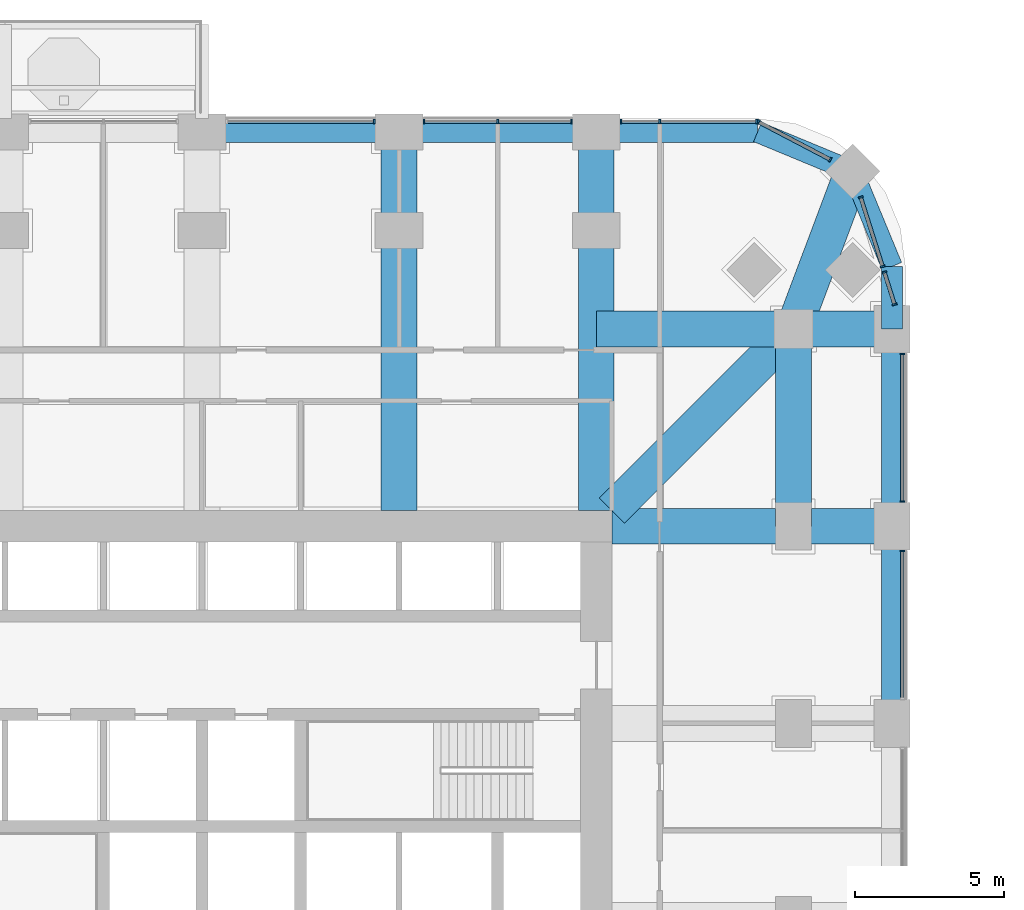
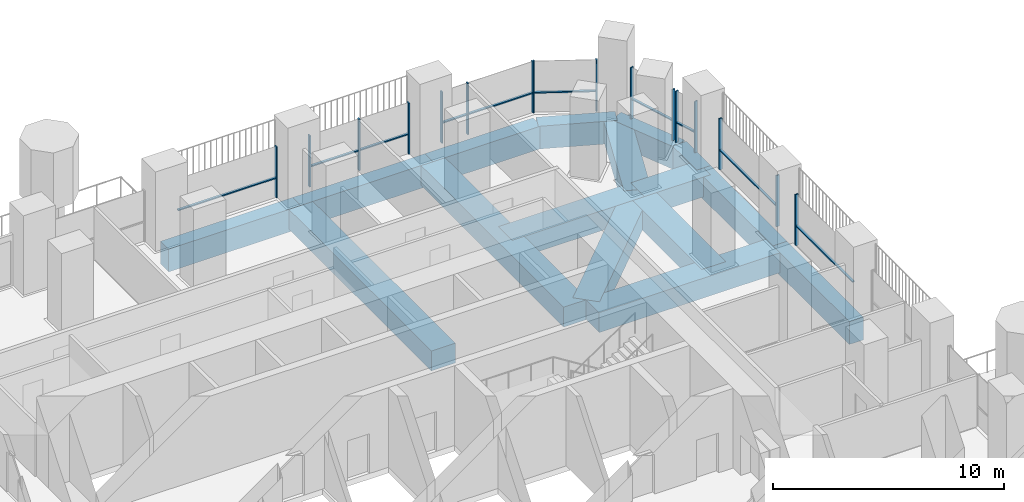
# One storey, part 7 of 21: 26 members, 16 beams, 8 elements without a shape of their own.
"""IFC4 building model written with IfcOpenShell, lengths in metres."""

from ifc_helpers import new_model, si_unit, direction, frame, origin, origin_2d, place, context, subcontext, project, spatial, rectangle, extrude, material, material_profile, profile_set, type_object, element, aggregate, save


model = new_model("IFC4")

# Units and contexts
model_context = context("Model", 3, precision=1e-05, world=origin(), true_north=direction((0.0, 1.0)))
body_context = subcontext(model_context, "Body", "Model", "MODEL_VIEW")
ifc_project = project(units=[si_unit("LENGTHUNIT", "METRE"), si_unit("AREAUNIT", "SQUARE_METRE"), si_unit("VOLUMEUNIT", "CUBIC_METRE"), si_unit("PLANEANGLEUNIT", "RADIAN"), si_unit("MASSUNIT", "GRAM", prefix="KILO")], contexts=[model_context])

# Site, building, storey
site_placement = place(None, origin())
site = spatial("IfcSite", under=ifc_project, at=site_placement, CompositionType="ELEMENT")
building_placement = place(site_placement, origin())
building = spatial("IfcBuilding", under=site, at=building_placement, Name="Cobogo Forest Laboratory Tower", CompositionType="ELEMENT")
storey_placement = place(building_placement, frame((0.0, 0.0, 99.0)))
storey = spatial("IfcBuildingStorey", under=building, at=storey_placement, Name="L22", CompositionType="ELEMENT", Elevation=99.0)

# Beams
ifc_material_1 = material(Name="Concrete HA-40 (C40/50)", Category="concrete")
ifc_material_profile_1 = material_profile(ifc_material_1, rectangle(XDim=1.199951171875, YDim=1.050048828125, at=origin_2d()), Name="RC 1200x1050")
ifc_profile_set_1 = profile_set([ifc_material_profile_1], Name="Concrete HA-40 (C40/50)")
beam_type_1 = type_object("IfcBeamType", Name="Laboratory floor wide beam 1200x1050", PredefinedType="BEAM", material=ifc_profile_set_1)
for number, where, z_axis, x_axis, name in (
    (1, (33.0, 33.52490234375, -0.824951171875), (0.0, 1.0, 0.0), (-1.0, 0.0, 0.0), "RB1 R-6-N L22"),
    (2, (39.60009765625, 33.52490234375, -0.824951171875), (0.0, 1.0, 0.0), (-1.0, 0.0, 0.0), "RB1 R-7-N L22"),
):
    element("IfcBeam", number, at=place(storey_placement, frame(where, z_axis=z_axis, x_axis=x_axis)), inside=storey, type_object=beam_type_1, Name=name, PredefinedType="BEAM", context=body_context, shape_type="SweptSolid", body=[
        extrude(rectangle(XDim=1.199951171875, YDim=1.050048828125, at=origin_2d()), origin(), (0.0, 0.0, 1.0), 12.675048828125),
    ])
beam_1_placement = place(storey_placement, frame((40.125, 33.0, -0.824951171875), z_axis=(1.0, 0.0, 0.0), x_axis=(0.0, 1.0, 0.0)))
element("IfcBeam", 3, at=beam_1_placement, inside=storey, type_object=beam_type_1, Name="RB1 R-F-E L22", PredefinedType="BEAM", context=body_context, shape_type="SweptSolid", body=[
    extrude(rectangle(XDim=1.199951171875, YDim=1.050048828125, at=origin_2d()), origin(), (0.0, 0.0, 1.0), 9.375),
])
beam_2_placement = place(storey_placement, frame((46.199951171875, 39.60009765625, -0.824951171875), z_axis=(0.0, -1.0, 0.0), x_axis=(1.0, 0.0, 0.0)))
element("IfcBeam", 4, at=beam_2_placement, inside=storey, type_object=beam_type_1, Name="RB1 G-NE-XC L22", PredefinedType="BEAM", context=body_context, shape_type="SweptSolid", body=[
    extrude(rectangle(XDim=1.199951171875, YDim=1.050048828125, at=origin_2d()), origin(), (0.0, 0.0, 1.0), 6.60009765625),
])
beam_3_placement = place(storey_placement, frame((49.5, 39.60009765625, -0.824951171875), z_axis=(-1.0, 0.0, 0.0), x_axis=(0.0, -1.0, 0.0)))
element("IfcBeam", 5, at=beam_3_placement, inside=storey, type_object=beam_type_1, Name="RB1 G-NE-YF L22", PredefinedType="BEAM", context=body_context, shape_type="SweptSolid", body=[
    extrude(rectangle(XDim=1.199951171875, YDim=1.050048828125, at=origin_2d()), origin(), (0.0, 0.0, 1.0), 3.300048828125),
])
beam_4_placement = place(storey_placement, frame((46.199951171875, 39.60009765625, -0.824951171875), z_axis=(-1.0, 0.0, 0.0), x_axis=(0.0, -1.0, 0.0)))
element("IfcBeam", 6, at=beam_4_placement, inside=storey, type_object=beam_type_1, Name="RB1 G-NE-YC L22", PredefinedType="BEAM", context=body_context, shape_type="SweptSolid", body=[
    extrude(rectangle(XDim=1.199951171875, YDim=1.050048828125, at=origin_2d()), origin(), (0.0, 0.0, 1.0), 6.599853515625),
])
beam_5_placement = place(storey_placement, frame((48.181884765625, 44.882080078125, -0.824951171875), z_axis=(-0.351308391925, -0.936259800356, 0.0), x_axis=(0.936259800356, -0.351308391925, 0.0)))
element("IfcBeam", 7, at=beam_5_placement, inside=storey, type_object=beam_type_1, Name="RB1 G-NE-D1 L22", PredefinedType="BEAM", context=body_context, shape_type="SweptSolid", body=[
    extrude(rectangle(XDim=1.199951171875, YDim=1.050048828125, at=origin_2d()), origin(), (0.0, 0.0, 1.0), 5.6416015625),
])
beam_6_placement = place(storey_placement, frame((46.199951171875, 39.60009765625, -0.824951171875), z_axis=(-0.707092572697, -0.70712098939, 0.0), x_axis=(0.70712098939, -0.707092572697, 0.0)))
element("IfcBeam", 8, at=beam_6_placement, inside=storey, type_object=beam_type_1, Name="RB1 G-NE-D2 L22", PredefinedType="BEAM", context=body_context, shape_type="SweptSolid", body=[
    extrude(rectangle(XDim=1.199951171875, YDim=1.050048828125, at=origin_2d()), origin(), (0.0, 0.0, 1.0), 8.591552734375),
])

# Curtain wall, member
ifc_material_2 = material(Name="Aluminium curtain wall", Category="aluminium")
curtain_wall_type = type_object("IfcCurtainWallType", Name="CW-1 unitised curtain wall, clear glazing, laboratory floors zones A and B", PredefinedType="USERDEFINED", material=ifc_material_2)
curtain_wall_1_placement = place(storey_placement, origin())
curtain_wall_1 = element("IfcCurtainWall", 9, at=curtain_wall_1_placement, inside=storey, type_object=curtain_wall_type, Name="Curtain wall 13 L22", ObjectType="UNITISED CURTAIN WALL", PredefinedType="USERDEFINED")
ifc_material_3 = material(Name="Aluminium mullion", Category="aluminium")
ifc_material_profile_2 = material_profile(ifc_material_3, rectangle(XDim=0.06005859375, YDim=0.159912109375, at=origin_2d()), Name="AL 60x160")
ifc_profile_set_2 = profile_set([ifc_material_profile_2], Name="Aluminium mullion")
member_type_1 = type_object("IfcMemberType", Name="MU-1 aluminium mullion 60x160", PredefinedType="MULLION", material=ifc_profile_set_2)
member_1_placement = place(storey_placement, frame((49.85009765625, 32.169921875, 0.0), z_axis=(0.0, 0.0, 1.0), x_axis=(0.0, 1.0, 0.0)))
member_1 = element("IfcMember", 10, at=member_1_placement, type_object=member_type_1, Name="CW-1 mullion 2", PredefinedType="MULLION", context=body_context, shape_type="SweptSolid", body=[
    extrude(rectangle(XDim=0.06005859375, YDim=0.159912109375, at=origin_2d()), origin(), (0.0, 0.0, 1.0), 2.699951171875),
])

# Curtain wall, members
curtain_wall_2_placement = place(storey_placement, origin())
curtain_wall_2 = element("IfcCurtainWall", 11, at=curtain_wall_2_placement, inside=storey, type_object=curtain_wall_type, Name="Curtain wall 14 L22", ObjectType="UNITISED CURTAIN WALL", PredefinedType="USERDEFINED")
member_2_placement = place(storey_placement, frame((49.85009765625, 33.830078125, 0.0), z_axis=(0.0, 0.0, 1.0), x_axis=(0.0, 1.0, 0.0)))
member_2 = element("IfcMember", 12, at=member_2_placement, type_object=member_type_1, Name="CW-1 mullion 1", PredefinedType="MULLION", context=body_context, shape_type="SweptSolid", body=[
    extrude(rectangle(XDim=0.06005859375, YDim=0.159912109375, at=origin_2d()), origin(), (0.0, 0.0, 1.0), 2.699951171875),
])
member_3_placement = place(storey_placement, frame((49.85009765625, 38.77001953125, 0.0), z_axis=(0.0, 0.0, 1.0), x_axis=(0.0, 1.0, 0.0)))
member_3 = element("IfcMember", 13, at=member_3_placement, type_object=member_type_1, Name="CW-1 mullion 2", PredefinedType="MULLION", context=body_context, shape_type="SweptSolid", body=[
    extrude(rectangle(XDim=0.06005859375, YDim=0.159912109375, at=origin_2d()), origin(), (0.0, 0.0, 1.0), 2.699951171875),
])

curtain_wall_3_placement = place(storey_placement, origin())
curtain_wall_3 = element("IfcCurtainWall", 14, at=curtain_wall_3_placement, inside=storey, type_object=curtain_wall_type, Name="Curtain wall 15 L22", ObjectType="UNITISED CURTAIN WALL", PredefinedType="USERDEFINED")
member_4_placement = place(storey_placement, frame((49.58837890625, 40.4287109375, 0.0), z_axis=(0.0, 0.0, 1.0), x_axis=(-0.301135667865, 0.953581307252, 0.0)))
member_4 = element("IfcMember", 15, at=member_4_placement, type_object=member_type_1, Name="CW-1 mullion 1", PredefinedType="MULLION", context=body_context, shape_type="SweptSolid", body=[
    extrude(rectangle(XDim=0.06005859375, YDim=0.159912109375, at=origin_2d()), origin(), (0.0, 0.0, 1.0), 2.699951171875),
])
member_5_placement = place(storey_placement, frame((49.247802734375, 41.507080078125, 0.0), z_axis=(0.0, 0.0, 1.0), x_axis=(-0.301135667865, 0.953581307252, 0.0)))
member_5 = element("IfcMember", 16, at=member_5_placement, type_object=member_type_1, Name="CW-1 mullion 2", PredefinedType="MULLION", context=body_context, shape_type="SweptSolid", body=[
    extrude(rectangle(XDim=0.06005859375, YDim=0.159912109375, at=origin_2d()), origin(), (0.0, 0.0, 1.0), 2.699951171875),
])

curtain_wall_4_placement = place(storey_placement, origin())
curtain_wall_4 = element("IfcCurtainWall", 17, at=curtain_wall_4_placement, inside=storey, type_object=curtain_wall_type, Name="Curtain wall 16 L22", ObjectType="UNITISED CURTAIN WALL", PredefinedType="USERDEFINED")
member_6_placement = place(storey_placement, frame((49.18701171875, 41.69970703125, 0.0), z_axis=(0.0, 0.0, 1.0), x_axis=(-0.301135291996, 0.953581425949, 0.0)))
member_6 = element("IfcMember", 18, at=member_6_placement, type_object=member_type_1, Name="CW-1 mullion 1", PredefinedType="MULLION", context=body_context, shape_type="SweptSolid", body=[
    extrude(rectangle(XDim=0.06005859375, YDim=0.159912109375, at=origin_2d()), origin(), (0.0, 0.0, 1.0), 2.699951171875),
])
member_7_placement = place(storey_placement, frame((48.455810546875, 44.01513671875, 0.0), z_axis=(0.0, 0.0, 1.0), x_axis=(-0.301135291996, 0.953581425949, 0.0)))
member_7 = element("IfcMember", 19, at=member_7_placement, type_object=member_type_1, Name="CW-1 mullion 2", PredefinedType="MULLION", context=body_context, shape_type="SweptSolid", body=[
    extrude(rectangle(XDim=0.06005859375, YDim=0.159912109375, at=origin_2d()), origin(), (0.0, 0.0, 1.0), 2.699951171875),
])

curtain_wall_5_placement = place(storey_placement, origin())
curtain_wall_5 = element("IfcCurtainWall", 20, at=curtain_wall_5_placement, inside=storey, type_object=curtain_wall_type, Name="Curtain wall 17 L22", ObjectType="UNITISED CURTAIN WALL", PredefinedType="USERDEFINED")
member_8_placement = place(storey_placement, frame((47.431640625, 45.275390625, 0.0), z_axis=(0.0, 0.0, 1.0), x_axis=(-0.885686547075, 0.464283685186, 0.0)))
member_8 = element("IfcMember", 21, at=member_8_placement, type_object=member_type_1, Name="CW-1 mullion 1", PredefinedType="MULLION", context=body_context, shape_type="SweptSolid", body=[
    extrude(rectangle(XDim=0.06005859375, YDim=0.159912109375, at=origin_2d()), origin(), (0.0, 0.0, 1.0), 2.699951171875),
])
member_9_placement = place(storey_placement, frame((45.026611328125, 46.5361328125, 0.0), z_axis=(0.0, 0.0, 1.0), x_axis=(-0.885686547075, 0.464283685186, 0.0)))
member_9 = element("IfcMember", 22, at=member_9_placement, type_object=member_type_1, Name="CW-1 mullion 2", PredefinedType="MULLION", context=body_context, shape_type="SweptSolid", body=[
    extrude(rectangle(XDim=0.06005859375, YDim=0.159912109375, at=origin_2d()), origin(), (0.0, 0.0, 1.0), 2.699951171875),
])

curtain_wall_6_placement = place(storey_placement, origin())
curtain_wall_6 = element("IfcCurtainWall", 23, at=curtain_wall_6_placement, inside=storey, type_object=curtain_wall_type, Name="Curtain wall 18 L22", ObjectType="UNITISED CURTAIN WALL", PredefinedType="USERDEFINED")
member_10_placement = place(storey_placement, frame((44.969970703125, 46.550048828125, 0.0), z_axis=(0.0, 0.0, 1.0), x_axis=(-1.0, 0.0, 0.0)))
member_10 = element("IfcMember", 24, at=member_10_placement, type_object=member_type_1, Name="CW-1 mullion 1", PredefinedType="MULLION", context=body_context, shape_type="SweptSolid", body=[
    extrude(rectangle(XDim=0.06005859375, YDim=0.159912109375, at=origin_2d()), origin(), (0.0, 0.0, 1.0), 2.699951171875),
])
member_11_placement = place(storey_placement, frame((41.72509765625, 46.550048828125, 0.0), z_axis=(0.0, 0.0, 1.0), x_axis=(-1.0, 0.0, 0.0)))
member_11 = element("IfcMember", 25, at=member_11_placement, type_object=member_type_1, Name="CW-1 mullion 2", PredefinedType="MULLION", context=body_context, shape_type="SweptSolid", body=[
    extrude(rectangle(XDim=0.06005859375, YDim=0.159912109375, at=origin_2d()), origin(), (0.0, 0.0, 1.0), 2.699951171875),
])
member_12_placement = place(storey_placement, frame((40.429931640625, 46.550048828125, 0.0), z_axis=(0.0, 0.0, 1.0), x_axis=(-1.0, 0.0, 0.0)))
member_12 = element("IfcMember", 26, at=member_12_placement, type_object=member_type_1, Name="CW-1 mullion 3", PredefinedType="MULLION", context=body_context, shape_type="SweptSolid", body=[
    extrude(rectangle(XDim=0.06005859375, YDim=0.159912109375, at=origin_2d()), origin(), (0.0, 0.0, 1.0), 2.699951171875),
])

curtain_wall_7_placement = place(storey_placement, origin())
curtain_wall_7 = element("IfcCurtainWall", 27, at=curtain_wall_7_placement, inside=storey, type_object=curtain_wall_type, Name="Curtain wall 19 L22", ObjectType="UNITISED CURTAIN WALL", PredefinedType="USERDEFINED")
member_13_placement = place(storey_placement, frame((38.77001953125, 46.550048828125, 0.0), z_axis=(0.0, 0.0, 1.0), x_axis=(-1.0, 0.0, 0.0)))
member_13 = element("IfcMember", 28, at=member_13_placement, type_object=member_type_1, Name="CW-1 mullion 1", PredefinedType="MULLION", context=body_context, shape_type="SweptSolid", body=[
    extrude(rectangle(XDim=0.06005859375, YDim=0.159912109375, at=origin_2d()), origin(), (0.0, 0.0, 1.0), 2.699951171875),
])
member_14_placement = place(storey_placement, frame((36.300048828125, 46.550048828125, 0.0), z_axis=(0.0, 0.0, 1.0), x_axis=(-1.0, 0.0, 0.0)))
member_14 = element("IfcMember", 29, at=member_14_placement, type_object=member_type_1, Name="CW-1 mullion 2", PredefinedType="MULLION", context=body_context, shape_type="SweptSolid", body=[
    extrude(rectangle(XDim=0.06005859375, YDim=0.159912109375, at=origin_2d()), origin(), (0.0, 0.0, 1.0), 2.699951171875),
])
member_15_placement = place(storey_placement, frame((33.830078125, 46.550048828125, 0.0), z_axis=(0.0, 0.0, 1.0), x_axis=(-1.0, 0.0, 0.0)))
member_15 = element("IfcMember", 30, at=member_15_placement, type_object=member_type_1, Name="CW-1 mullion 3", PredefinedType="MULLION", context=body_context, shape_type="SweptSolid", body=[
    extrude(rectangle(XDim=0.06005859375, YDim=0.159912109375, at=origin_2d()), origin(), (0.0, 0.0, 1.0), 2.699951171875),
])

# Curtain wall, member
curtain_wall_8_placement = place(storey_placement, origin())
curtain_wall_8 = element("IfcCurtainWall", 31, at=curtain_wall_8_placement, inside=storey, type_object=curtain_wall_type, Name="Curtain wall 20 L22", ObjectType="UNITISED CURTAIN WALL", PredefinedType="USERDEFINED")
member_16_placement = place(storey_placement, frame((32.169921875, 46.550048828125, 0.0), z_axis=(0.0, 0.0, 1.0), x_axis=(-1.0, 0.0, 0.0)))
member_16 = element("IfcMember", 32, at=member_16_placement, type_object=member_type_1, Name="CW-1 mullion 1", PredefinedType="MULLION", context=body_context, shape_type="SweptSolid", body=[
    extrude(rectangle(XDim=0.06005859375, YDim=0.159912109375, at=origin_2d()), origin(), (0.0, 0.0, 1.0), 2.699951171875),
])

# Beams
ifc_material_profile_3 = material_profile(ifc_material_1, rectangle(XDim=0.699951171875, YDim=1.199951171875, at=origin_2d()), Name="RC 700x1200")
ifc_profile_set_3 = profile_set([ifc_material_profile_3], Name="Concrete HA-40 (C40/50)")
beam_type_2 = type_object("IfcBeamType", Name="Perimeter edge beam 700x1200", PredefinedType="BEAM", material=ifc_profile_set_3)
for number, where, z_axis, x_axis, name in (
    (33, (49.5, 26.39990234375, -0.89990234375), (0.0, 1.0, 0.0), (-1.0, 0.0, 0.0), "EB1 E-E4 L22"),
    (34, (49.5, 33.0, -0.89990234375), (0.0, 1.0, 0.0), (-1.0, 0.0, 0.0), "EB1 E-E5 L22"),
    (35, (26.39990234375, 46.199951171875, -0.89990234375), (1.0, 0.0, 0.0), (0.0, 1.0, 0.0), "EB1 E-N3 L22"),
    (36, (33.0, 46.199951171875, -0.89990234375), (1.0, 0.0, 0.0), (0.0, 1.0, 0.0), "EB1 E-N4 L22"),
):
    element("IfcBeam", number, at=place(storey_placement, frame(where, z_axis=z_axis, x_axis=x_axis)), inside=storey, type_object=beam_type_2, Name=name, PredefinedType="BEAM", context=body_context, shape_type="SweptSolid", body=[
        extrude(rectangle(XDim=0.699951171875, YDim=1.199951171875, at=origin_2d()), origin(), (0.0, 0.0, 1.0), 6.60009765625),
    ])
beam_7_placement = place(storey_placement, frame((49.5, 39.60009765625, -0.89990234375), z_axis=(0.0, 1.0, 0.0), x_axis=(-1.0, 0.0, 0.0)))
element("IfcBeam", 37, at=beam_7_placement, inside=storey, type_object=beam_type_2, Name="EB1 E-NEE1 L22", PredefinedType="BEAM", context=body_context, shape_type="SweptSolid", body=[
    extrude(rectangle(XDim=0.699951171875, YDim=1.199951171875, at=origin_2d()), origin(), (0.0, 0.0, 1.0), 2.099853515625),
])
beam_8_placement = place(storey_placement, frame((49.5, 41.699951171875, -0.89990234375), z_axis=(-0.382691928466, 0.923876013265, 0.0), x_axis=(-0.923876013265, -0.382691928466, 0.0)))
element("IfcBeam", 38, at=beam_8_placement, inside=storey, type_object=beam_type_2, Name="EB1 E-NEE2 L22", PredefinedType="BEAM", context=body_context, shape_type="SweptSolid", body=[
    extrude(rectangle(XDim=0.699951171875, YDim=1.199951171875, at=origin_2d()), origin(), (0.0, 0.0, 1.0), 3.4443359375),
])
beam_9_placement = place(storey_placement, frame((39.60009765625, 46.199951171875, -0.89990234375), z_axis=(1.0, 0.0, 0.0), x_axis=(0.0, 1.0, 0.0)))
element("IfcBeam", 39, at=beam_9_placement, inside=storey, type_object=beam_type_2, Name="EB1 E-NEN1 L22", PredefinedType="BEAM", context=body_context, shape_type="SweptSolid", body=[
    extrude(rectangle(XDim=0.699951171875, YDim=1.199951171875, at=origin_2d()), origin(), (0.0, 0.0, 1.0), 5.39990234375),
])
beam_10_placement = place(storey_placement, frame((45.0, 46.199951171875, -0.89990234375), z_axis=(0.923890694089, -0.382656484822, 0.0), x_axis=(0.382656484822, 0.923890694089, 0.0)))
element("IfcBeam", 40, at=beam_10_placement, inside=storey, type_object=beam_type_2, Name="EB1 E-NEN2 L22", PredefinedType="BEAM", context=body_context, shape_type="SweptSolid", body=[
    extrude(rectangle(XDim=0.699951171875, YDim=1.199951171875, at=origin_2d()), origin(), (0.0, 0.0, 1.0), 3.444091796875),
])

# Member
ifc_material_4 = material(Name="Aluminium transom", Category="aluminium")
ifc_material_profile_4 = material_profile(ifc_material_4, rectangle(XDim=0.1201171875, YDim=0.06005859375, at=origin_2d()), Name="AL 60x120")
ifc_profile_set_4 = profile_set([ifc_material_profile_4], Name="Aluminium transom")
member_type_2 = type_object("IfcMemberType", Name="TR-1 aluminium transom 60x120", PredefinedType="USERDEFINED", material=ifc_profile_set_4)
member_17_placement = place(storey_placement, frame((49.85009765625, 27.260009765625, 1.050048828125), z_axis=(0.0, 1.0, 0.0), x_axis=(-1.0, 0.0, 0.0)))
member_17 = element("IfcMember", 41, at=member_17_placement, type_object=member_type_2, Name="CW-1 transom 1.1", ObjectType="TRANSOM", PredefinedType="USERDEFINED", context=body_context, shape_type="SweptSolid", body=[
    extrude(rectangle(XDim=0.1201171875, YDim=0.06005859375, at=origin_2d()), origin(), (0.0, 0.0, 1.0), 4.8798828125),
])

aggregate(curtain_wall_1, [member_1, member_17])

member_18_placement = place(storey_placement, frame((49.85009765625, 33.860107421875, 1.050048828125), z_axis=(0.0, 1.0, 0.0), x_axis=(-1.0, 0.0, 0.0)))
member_18 = element("IfcMember", 42, at=member_18_placement, type_object=member_type_2, Name="CW-1 transom 1.1", ObjectType="TRANSOM", PredefinedType="USERDEFINED", context=body_context, shape_type="SweptSolid", body=[
    extrude(rectangle(XDim=0.1201171875, YDim=0.06005859375, at=origin_2d()), origin(), (0.0, 0.0, 1.0), 4.8798828125),
])

aggregate(curtain_wall_2, [member_2, member_3, member_18])

member_19_placement = place(storey_placement, frame((49.579345703125, 40.457275390625, 1.050048828125), z_axis=(-0.3011422781, 0.953579219751, 0.0), x_axis=(-0.953579219751, -0.3011422781, 0.0)))
member_19 = element("IfcMember", 43, at=member_19_placement, type_object=member_type_2, Name="CW-1 transom 1.1", ObjectType="TRANSOM", PredefinedType="USERDEFINED", context=body_context, shape_type="SweptSolid", body=[
    extrude(rectangle(XDim=0.1201171875, YDim=0.06005859375, at=origin_2d()), origin(), (0.0, 0.0, 1.0), 1.071044921875),
])

aggregate(curtain_wall_3, [member_4, member_5, member_19])

member_20_placement = place(storey_placement, frame((49.177978515625, 41.728271484375, 1.050048828125), z_axis=(-0.301156039198, 0.953574873859, 0.0), x_axis=(-0.953574873859, -0.301156039198, 0.0)))
member_20 = element("IfcMember", 44, at=member_20_placement, type_object=member_type_2, Name="CW-1 transom 1.1", ObjectType="TRANSOM", PredefinedType="USERDEFINED", context=body_context, shape_type="SweptSolid", body=[
    extrude(rectangle(XDim=0.1201171875, YDim=0.06005859375, at=origin_2d()), origin(), (0.0, 0.0, 1.0), 2.367919921875),
])

aggregate(curtain_wall_4, [member_6, member_7, member_20])

member_21_placement = place(storey_placement, frame((47.405029296875, 45.289306640625, 1.050048828125), z_axis=(-0.885674922116, 0.464305860758, 0.0), x_axis=(-0.464305860758, -0.885674922116, 0.0)))
member_21 = element("IfcMember", 45, at=member_21_placement, type_object=member_type_2, Name="CW-1 transom 1.1", ObjectType="TRANSOM", PredefinedType="USERDEFINED", context=body_context, shape_type="SweptSolid", body=[
    extrude(rectangle(XDim=0.1201171875, YDim=0.06005859375, at=origin_2d()), origin(), (0.0, 0.0, 1.0), 2.6552734375),
])

aggregate(curtain_wall_5, [member_8, member_9, member_21])

member_22_placement = place(storey_placement, frame((44.93994140625, 46.550048828125, 1.050048828125), z_axis=(-1.0, 0.0, 0.0), x_axis=(0.0, -1.0, 0.0)))
member_22 = element("IfcMember", 46, at=member_22_placement, type_object=member_type_2, Name="CW-1 transom 1.1", ObjectType="TRANSOM", PredefinedType="USERDEFINED", context=body_context, shape_type="SweptSolid", body=[
    extrude(rectangle(XDim=0.1201171875, YDim=0.06005859375, at=origin_2d()), origin(), (0.0, 0.0, 1.0), 3.18505859375),
])

member_23_placement = place(storey_placement, frame((41.695068359375, 46.550048828125, 1.050048828125), z_axis=(-1.0, 0.0, 0.0), x_axis=(0.0, -1.0, 0.0)))
member_23 = element("IfcMember", 47, at=member_23_placement, type_object=member_type_2, Name="CW-1 transom 2.1", ObjectType="TRANSOM", PredefinedType="USERDEFINED", context=body_context, shape_type="SweptSolid", body=[
    extrude(rectangle(XDim=0.1201171875, YDim=0.06005859375, at=origin_2d()), origin(), (0.0, 0.0, 1.0), 1.235107421875),
])

aggregate(curtain_wall_6, [member_10, member_11, member_12, member_22, member_23])

member_24_placement = place(storey_placement, frame((38.739990234375, 46.550048828125, 1.050048828125), z_axis=(-1.0, 0.0, 0.0), x_axis=(0.0, -1.0, 0.0)))
member_24 = element("IfcMember", 48, at=member_24_placement, type_object=member_type_2, Name="CW-1 transom 1.1", ObjectType="TRANSOM", PredefinedType="USERDEFINED", context=body_context, shape_type="SweptSolid", body=[
    extrude(rectangle(XDim=0.1201171875, YDim=0.06005859375, at=origin_2d()), origin(), (0.0, 0.0, 1.0), 2.409912109375),
])

member_25_placement = place(storey_placement, frame((36.27001953125, 46.550048828125, 1.050048828125), z_axis=(-1.0, 0.0, 0.0), x_axis=(0.0, -1.0, 0.0)))
member_25 = element("IfcMember", 49, at=member_25_placement, type_object=member_type_2, Name="CW-1 transom 2.1", ObjectType="TRANSOM", PredefinedType="USERDEFINED", context=body_context, shape_type="SweptSolid", body=[
    extrude(rectangle(XDim=0.1201171875, YDim=0.06005859375, at=origin_2d()), origin(), (0.0, 0.0, 1.0), 2.409912109375),
])

aggregate(curtain_wall_7, [member_13, member_14, member_15, member_24, member_25])

member_26_placement = place(storey_placement, frame((32.139892578125, 46.550048828125, 1.050048828125), z_axis=(-1.0, 0.0, 0.0), x_axis=(0.0, -1.0, 0.0)))
member_26 = element("IfcMember", 50, at=member_26_placement, type_object=member_type_2, Name="CW-1 transom 1.1", ObjectType="TRANSOM", PredefinedType="USERDEFINED", context=body_context, shape_type="SweptSolid", body=[
    extrude(rectangle(XDim=0.1201171875, YDim=0.06005859375, at=origin_2d()), origin(), (0.0, 0.0, 1.0), 4.8798828125),
])

aggregate(curtain_wall_8, [member_16, member_26])

save(model, "model.ifc")
